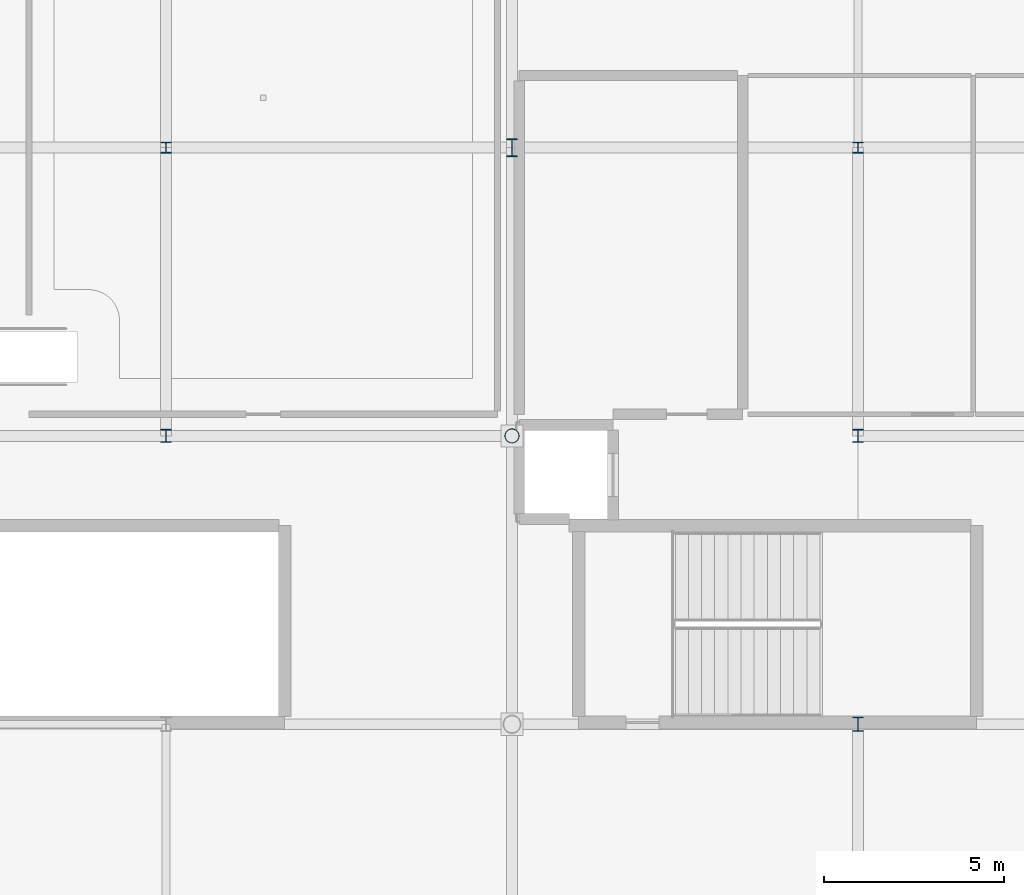
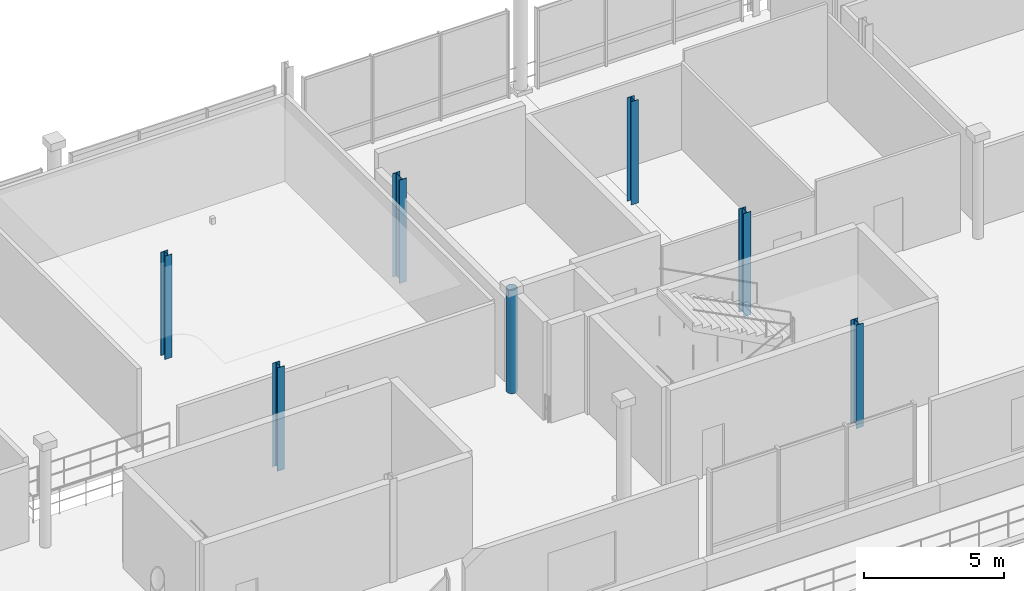
# One storey, part 2 of 26: 7 columns.
"""IFC4 building model written with IfcOpenShell, lengths in metres."""

from ifc_helpers import new_model, si_unit, direction, frame, origin, origin_2d, place, context, subcontext, project, spatial, hollow_circle, i_section, extrude, material, material_profile, profile_set, type_object, element, save


model = new_model("IFC4")

# Units and contexts
model_context = context("Model", 3, precision=1e-05, world=origin(), true_north=direction((0.0, 1.0)))
body_context = subcontext(model_context, "Body", "Model", "MODEL_VIEW")
ifc_project = project(units=[si_unit("LENGTHUNIT", "METRE"), si_unit("AREAUNIT", "SQUARE_METRE"), si_unit("VOLUMEUNIT", "CUBIC_METRE"), si_unit("PLANEANGLEUNIT", "RADIAN"), si_unit("MASSUNIT", "GRAM", prefix="KILO")], contexts=[model_context])

# Site, building, storey
site_placement = place(None, origin())
site = spatial("IfcSite", under=ifc_project, at=site_placement, CompositionType="ELEMENT")
building_placement = place(site_placement, origin())
building = spatial("IfcBuilding", under=site, at=building_placement, Name="Danafjord Basin Convention Centre", CompositionType="ELEMENT")
storey_placement = place(building_placement, frame((0.0, 0.0, 24.89990234375)))
storey = spatial("IfcBuildingStorey", under=building, at=storey_placement, Name="L05", CompositionType="ELEMENT", Elevation=24.89990234375)

# Columns
ifc_material = material(Name="Steel S355", Category="steel")
ifc_material_profile_1 = material_profile(ifc_material, hollow_circle(Radius=0.203125, WallThickness=0.02001953125, at=origin_2d()), Name="CHS 406.4x20.0")
ifc_profile_set_1 = profile_set([ifc_material_profile_1], Name="Steel S355")
column_type_1 = type_object("IfcColumnType", Name="COL-C-CHS406", PredefinedType="COLUMN", material=ifc_profile_set_1)
column_1_placement = place(storey_placement, frame((48.0, 24.0, 0.0), z_axis=(0.0, 0.0, 1.0), x_axis=(1.0, 0.0, 0.0)))
element("IfcColumn", 1, at=column_1_placement, inside=storey, type_object=column_type_1, Name="L05 column C-CHS406 at (48.0, 24.0)", PredefinedType="COLUMN", context=body_context, shape_type="SweptSolid", body=[
    extrude(hollow_circle(Radius=0.203125, WallThickness=0.02001953125, at=origin_2d()), origin(), (0.0, 0.0, 1.0), 4.5),
])
ifc_material_profile_2 = material_profile(ifc_material, i_section(OverallWidth=0.300048828125, OverallDepth=0.300048828125, WebThickness=0.010986328125, FlangeThickness=0.01904296875, FilletRadius=0.027099609375, at=origin_2d()), Name="HEB 300")
ifc_profile_set_2 = profile_set([ifc_material_profile_2], Name="Steel S355")
column_type_2 = type_object("IfcColumnType", Name="COL-C-HEB300", PredefinedType="COLUMN", material=ifc_profile_set_2)
for number, where, z_axis, x_axis, name in (
    (2, (38.39990234375, 32.0, 0.0), (0.0, 0.0, 1.0), (1.0, 0.0, 0.0), "L05 column C-HEB300 at (38.4, 32.0)"),
    (3, (57.60009765625, 32.0, 0.0), (0.0, 0.0, 1.0), (1.0, 0.0, 0.0), "L05 column C-HEB300 at (57.6, 32.0)"),
):
    element("IfcColumn", number, at=place(storey_placement, frame(where, z_axis=z_axis, x_axis=x_axis)), inside=storey, type_object=column_type_2, Name=name, PredefinedType="COLUMN", context=body_context, shape_type="SweptSolid", body=[
        extrude(i_section(OverallWidth=0.300048828125, OverallDepth=0.300048828125, WebThickness=0.010986328125, FlangeThickness=0.01904296875, FilletRadius=0.027099609375, at=origin_2d()), origin(), (0.0, 0.0, 1.0), 4.5),
    ])
ifc_material_profile_3 = material_profile(ifc_material, i_section(OverallWidth=0.300048828125, OverallDepth=0.360107421875, WebThickness=0.012451171875, FlangeThickness=0.0224609375, FilletRadius=0.027099609375, at=origin_2d()), Name="HEB 360")
ifc_profile_set_3 = profile_set([ifc_material_profile_3], Name="Steel S355")
column_type_3 = type_object("IfcColumnType", Name="COL-C-HEB360", PredefinedType="COLUMN", material=ifc_profile_set_3)
for number, where, z_axis, x_axis, name in (
    (4, (38.39990234375, 24.0, 0.0), (0.0, 0.0, 1.0), (1.0, 0.0, 0.0), "L05 column C-HEB360 at (38.4, 24.0)"),
    (5, (57.60009765625, 24.0, 0.0), (0.0, 0.0, 1.0), (1.0, 0.0, 0.0), "L05 column C-HEB360 at (57.6, 24.0)"),
):
    element("IfcColumn", number, at=place(storey_placement, frame(where, z_axis=z_axis, x_axis=x_axis)), inside=storey, type_object=column_type_3, Name=name, PredefinedType="COLUMN", context=body_context, shape_type="SweptSolid", body=[
        extrude(i_section(OverallWidth=0.300048828125, OverallDepth=0.360107421875, WebThickness=0.012451171875, FlangeThickness=0.0224609375, FilletRadius=0.027099609375, at=origin_2d()), origin(), (0.0, 0.0, 1.0), 4.5),
    ])
ifc_material_profile_4 = material_profile(ifc_material, i_section(OverallWidth=0.300048828125, OverallDepth=0.39990234375, WebThickness=0.013427734375, FlangeThickness=0.02392578125, FilletRadius=0.027099609375, at=origin_2d()), Name="HEB 400")
ifc_profile_set_4 = profile_set([ifc_material_profile_4], Name="Steel S355")
column_type_4 = type_object("IfcColumnType", Name="COL-C-HEB400", PredefinedType="COLUMN", material=ifc_profile_set_4)
column_2_placement = place(storey_placement, frame((57.60009765625, 16.0, 0.0), z_axis=(0.0, 0.0, 1.0), x_axis=(1.0, 0.0, 0.0)))
element("IfcColumn", 6, at=column_2_placement, inside=storey, type_object=column_type_4, Name="L05 column C-HEB400 at (57.6, 16.0)", PredefinedType="COLUMN", context=body_context, shape_type="SweptSolid", body=[
    extrude(i_section(OverallWidth=0.300048828125, OverallDepth=0.39990234375, WebThickness=0.013427734375, FlangeThickness=0.02392578125, FilletRadius=0.027099609375, at=origin_2d()), origin(), (0.0, 0.0, 1.0), 4.5),
])
ifc_material_profile_5 = material_profile(ifc_material, i_section(OverallWidth=0.300048828125, OverallDepth=0.5, WebThickness=0.014404296875, FlangeThickness=0.028076171875, FilletRadius=0.027099609375, at=origin_2d()), Name="HEB 500")
ifc_profile_set_5 = profile_set([ifc_material_profile_5], Name="Steel S355")
column_type_5 = type_object("IfcColumnType", Name="COL-C-HEB500", PredefinedType="COLUMN", material=ifc_profile_set_5)
column_3_placement = place(storey_placement, frame((48.0, 32.0, 0.0), z_axis=(0.0, 0.0, 1.0), x_axis=(1.0, 0.0, 0.0)))
element("IfcColumn", 7, at=column_3_placement, inside=storey, type_object=column_type_5, Name="L05 column C-HEB500 at (48.0, 32.0)", PredefinedType="COLUMN", context=body_context, shape_type="SweptSolid", body=[
    extrude(i_section(OverallWidth=0.300048828125, OverallDepth=0.5, WebThickness=0.014404296875, FlangeThickness=0.028076171875, FilletRadius=0.027099609375, at=origin_2d()), origin(), (0.0, 0.0, 1.0), 4.5),
])

save(model, "model.ifc")
